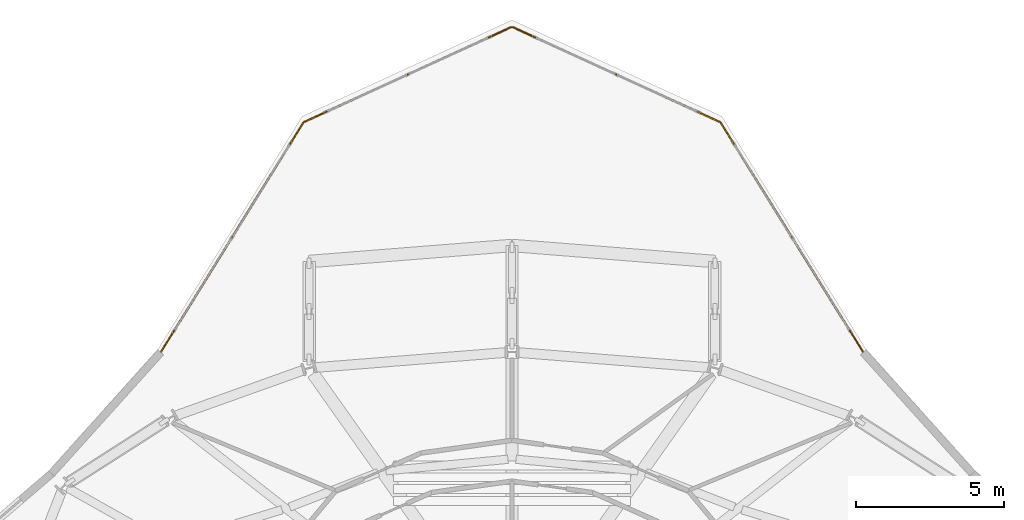
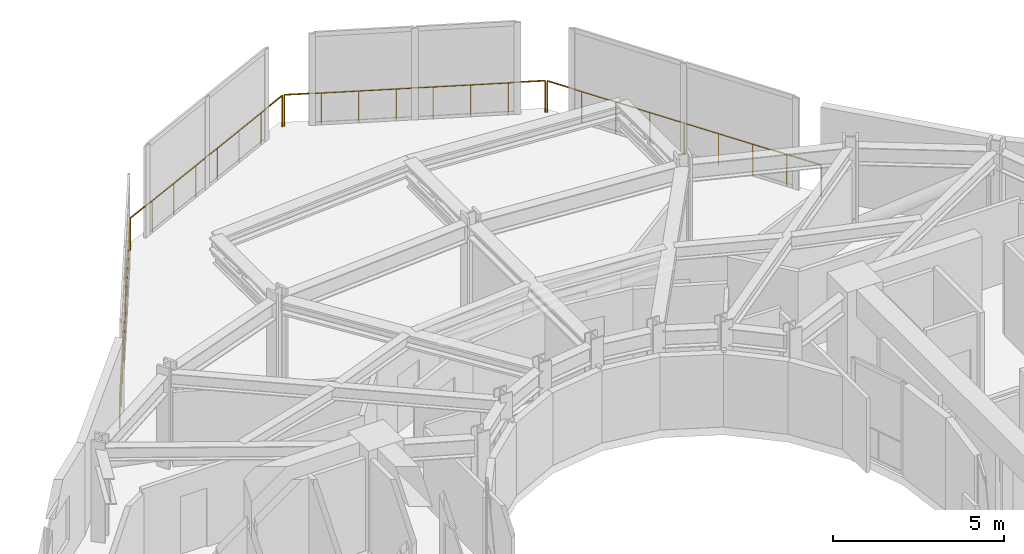
# One storey, part 24 of 24: 4 railings.
"""IFC4 building model written with IfcOpenShell, lengths in metres."""

from ifc_helpers import new_model, si_unit, direction, frame, origin, origin_2d, place, context, subcontext, project, spatial, circle, extrude, material, type_object, element, save


model = new_model("IFC4")

# Units and contexts
model_context = context("Model", 3, precision=1e-05, world=origin(), true_north=direction((0.0, 1.0)))
body_context = subcontext(model_context, "Body", "Model", "MODEL_VIEW")
ifc_project = project(units=[si_unit("LENGTHUNIT", "METRE"), si_unit("AREAUNIT", "SQUARE_METRE"), si_unit("VOLUMEUNIT", "CUBIC_METRE"), si_unit("PLANEANGLEUNIT", "RADIAN"), si_unit("MASSUNIT", "GRAM", prefix="KILO")], contexts=[model_context])

# Site, building, storey
site_placement = place(None, origin())
site = spatial("IfcSite", under=ifc_project, at=site_placement, CompositionType="ELEMENT")
building_placement = place(site_placement, origin())
building = spatial("IfcBuilding", under=site, at=building_placement, Name="Solvane Sanctuary Tower", CompositionType="ELEMENT")
storey_placement = place(building_placement, frame((0.0, 0.0, 253.199951171875)))
storey = spatial("IfcBuildingStorey", under=building, at=storey_placement, Name="L77", CompositionType="ELEMENT", Elevation=253.199951171875)

# Railings
ifc_material = material(Name="Architectural Stainless Steel 316", Category="steel")
railing_type = type_object("IfcRailingType", Name="Railing GR-BALC-1150", PredefinedType="BALUSTRADE", material=ifc_material)
railing_1_placement = place(storey_placement, frame((43.854248046875, 38.695556640625, 0.0)))
element("IfcRailing", 1, at=railing_1_placement, inside=storey, type_object=railing_type, Name="L77 Curtain-Wall Perimeter Sill Guard 04", PredefinedType="BALUSTRADE", context=body_context, shape_type="SweptSolid", body=[
    extrude(circle(Radius=0.02392578125, at=origin_2d()), frame((0.0, 0.0, 1.1259765625), z_axis=(-0.527392269957, 0.84962191214, 0.0), x_axis=(-0.84962191214, -0.527392269957, 0.0)), (0.0, 0.0, 1.0), 9.0927734375),
    extrude(circle(Radius=0.02099609375, at=origin_2d()), origin(), (0.0, 0.0, 1.0), 1.101806640625),
    extrude(circle(Radius=0.02099609375, at=origin_2d()), frame((-0.599365234375, 0.965576171875, 0.0)), (0.0, 0.0, 1.0), 1.101806640625),
    extrude(circle(Radius=0.02099609375, at=origin_2d()), frame((-1.19873046875, 1.931396484375, 0.0)), (0.0, 0.0, 1.0), 1.101806640625),
    extrude(circle(Radius=0.02099609375, at=origin_2d()), frame((-1.79833984375, 2.89697265625, 0.0)), (0.0, 0.0, 1.0), 1.101806640625),
    extrude(circle(Radius=0.02099609375, at=origin_2d()), frame((-2.397705078125, 3.86279296875, 0.0)), (0.0, 0.0, 1.0), 1.101806640625),
    extrude(circle(Radius=0.02099609375, at=origin_2d()), frame((-2.9970703125, 4.828369140625, 0.0)), (0.0, 0.0, 1.0), 1.101806640625),
    extrude(circle(Radius=0.02099609375, at=origin_2d()), frame((-3.5966796875, 5.7939453125, 0.0)), (0.0, 0.0, 1.0), 1.101806640625),
    extrude(circle(Radius=0.02099609375, at=origin_2d()), frame((-4.196044921875, 6.759765625, 0.0)), (0.0, 0.0, 1.0), 1.101806640625),
    extrude(circle(Radius=0.02099609375, at=origin_2d()), frame((-4.79541015625, 7.725341796875, 0.0)), (0.0, 0.0, 1.0), 1.101806640625),
])
railing_2_placement = place(storey_placement, frame((39.015625, 46.458984375, 0.0)))
element("IfcRailing", 2, at=railing_2_placement, inside=storey, type_object=railing_type, Name="L77 Curtain-Wall Perimeter Sill Guard 05", PredefinedType="BALUSTRADE", context=body_context, shape_type="SweptSolid", body=[
    extrude(circle(Radius=0.02392578125, at=origin_2d()), frame((0.0, 0.0, 1.1259765625), z_axis=(-0.90926124068, 0.416225895634, 0.0), x_axis=(-0.416225895634, -0.90926124068, 0.0)), (0.0, 0.0, 1.0), 7.685791015625),
    extrude(circle(Radius=0.02099609375, at=origin_2d()), origin(), (0.0, 0.0, 1.0), 1.101806640625),
    extrude(circle(Radius=0.02099609375, at=origin_2d()), frame((-0.998291015625, 0.45703125, 0.0)), (0.0, 0.0, 1.0), 1.101806640625),
    extrude(circle(Radius=0.02099609375, at=origin_2d()), frame((-1.99658203125, 0.9140625, 0.0)), (0.0, 0.0, 1.0), 1.101806640625),
    extrude(circle(Radius=0.02099609375, at=origin_2d()), frame((-2.994873046875, 1.37109375, 0.0)), (0.0, 0.0, 1.0), 1.101806640625),
    extrude(circle(Radius=0.02099609375, at=origin_2d()), frame((-3.993408203125, 1.827880859375, 0.0)), (0.0, 0.0, 1.0), 1.101806640625),
    extrude(circle(Radius=0.02099609375, at=origin_2d()), frame((-4.99169921875, 2.284912109375, 0.0)), (0.0, 0.0, 1.0), 1.101806640625),
    extrude(circle(Radius=0.02099609375, at=origin_2d()), frame((-5.989990234375, 2.741943359375, 0.0)), (0.0, 0.0, 1.0), 1.101806640625),
    extrude(circle(Radius=0.02099609375, at=origin_2d()), frame((-6.98828125, 3.198974609375, 0.0)), (0.0, 0.0, 1.0), 1.101806640625),
])
railing_3_placement = place(storey_placement, frame((31.97265625, 49.657958984375, 0.0)))
element("IfcRailing", 3, at=railing_3_placement, inside=storey, type_object=railing_type, Name="L77 Curtain-Wall Perimeter Sill Guard 06", PredefinedType="BALUSTRADE", context=body_context, shape_type="SweptSolid", body=[
    extrude(circle(Radius=0.02392578125, at=origin_2d()), frame((0.0, 0.0, 1.1259765625), z_axis=(-0.90926124068, -0.416225895634, 0.0), x_axis=(0.416225895634, -0.90926124068, 0.0)), (0.0, 0.0, 1.0), 7.685791015625),
    extrude(circle(Radius=0.02099609375, at=origin_2d()), origin(), (0.0, 0.0, 1.0), 1.101806640625),
    extrude(circle(Radius=0.02099609375, at=origin_2d()), frame((-0.998291015625, -0.45703125, 0.0)), (0.0, 0.0, 1.0), 1.101806640625),
    extrude(circle(Radius=0.02099609375, at=origin_2d()), frame((-1.99658203125, -0.9140625, 0.0)), (0.0, 0.0, 1.0), 1.101806640625),
    extrude(circle(Radius=0.02099609375, at=origin_2d()), frame((-2.994873046875, -1.37109375, 0.0)), (0.0, 0.0, 1.0), 1.101806640625),
    extrude(circle(Radius=0.02099609375, at=origin_2d()), frame((-3.993408203125, -1.827880859375, 0.0)), (0.0, 0.0, 1.0), 1.101806640625),
    extrude(circle(Radius=0.02099609375, at=origin_2d()), frame((-4.99169921875, -2.284912109375, 0.0)), (0.0, 0.0, 1.0), 1.101806640625),
    extrude(circle(Radius=0.02099609375, at=origin_2d()), frame((-5.989990234375, -2.741943359375, 0.0)), (0.0, 0.0, 1.0), 1.101806640625),
    extrude(circle(Radius=0.02099609375, at=origin_2d()), frame((-6.98828125, -3.198974609375, 0.0)), (0.0, 0.0, 1.0), 1.101806640625),
])
railing_4_placement = place(storey_placement, frame((24.941162109375, 46.4208984375, 0.0)))
element("IfcRailing", 4, at=railing_4_placement, inside=storey, type_object=railing_type, Name="L77 Curtain-Wall Perimeter Sill Guard 07", PredefinedType="BALUSTRADE", context=body_context, shape_type="SweptSolid", body=[
    extrude(circle(Radius=0.02392578125, at=origin_2d()), frame((0.0, 0.0, 1.1259765625), z_axis=(-0.527392269957, -0.84962191214, 0.0), x_axis=(0.84962191214, -0.527392269957, 0.0)), (0.0, 0.0, 1.0), 9.0927734375),
    extrude(circle(Radius=0.02099609375, at=origin_2d()), origin(), (0.0, 0.0, 1.0), 1.101806640625),
    extrude(circle(Radius=0.02099609375, at=origin_2d()), frame((-0.599365234375, -0.965576171875, 0.0)), (0.0, 0.0, 1.0), 1.101806640625),
    extrude(circle(Radius=0.02099609375, at=origin_2d()), frame((-1.19873046875, -1.931396484375, 0.0)), (0.0, 0.0, 1.0), 1.101806640625),
    extrude(circle(Radius=0.02099609375, at=origin_2d()), frame((-1.79833984375, -2.89697265625, 0.0)), (0.0, 0.0, 1.0), 1.101806640625),
    extrude(circle(Radius=0.02099609375, at=origin_2d()), frame((-2.397705078125, -3.86279296875, 0.0)), (0.0, 0.0, 1.0), 1.101806640625),
    extrude(circle(Radius=0.02099609375, at=origin_2d()), frame((-2.9970703125, -4.828369140625, 0.0)), (0.0, 0.0, 1.0), 1.101806640625),
    extrude(circle(Radius=0.02099609375, at=origin_2d()), frame((-3.5966796875, -5.7939453125, 0.0)), (0.0, 0.0, 1.0), 1.101806640625),
    extrude(circle(Radius=0.02099609375, at=origin_2d()), frame((-4.196044921875, -6.759765625, 0.0)), (0.0, 0.0, 1.0), 1.101806640625),
    extrude(circle(Radius=0.02099609375, at=origin_2d()), frame((-4.79541015625, -7.725341796875, 0.0)), (0.0, 0.0, 1.0), 1.101806640625),
])

save(model, "model.ifc")
